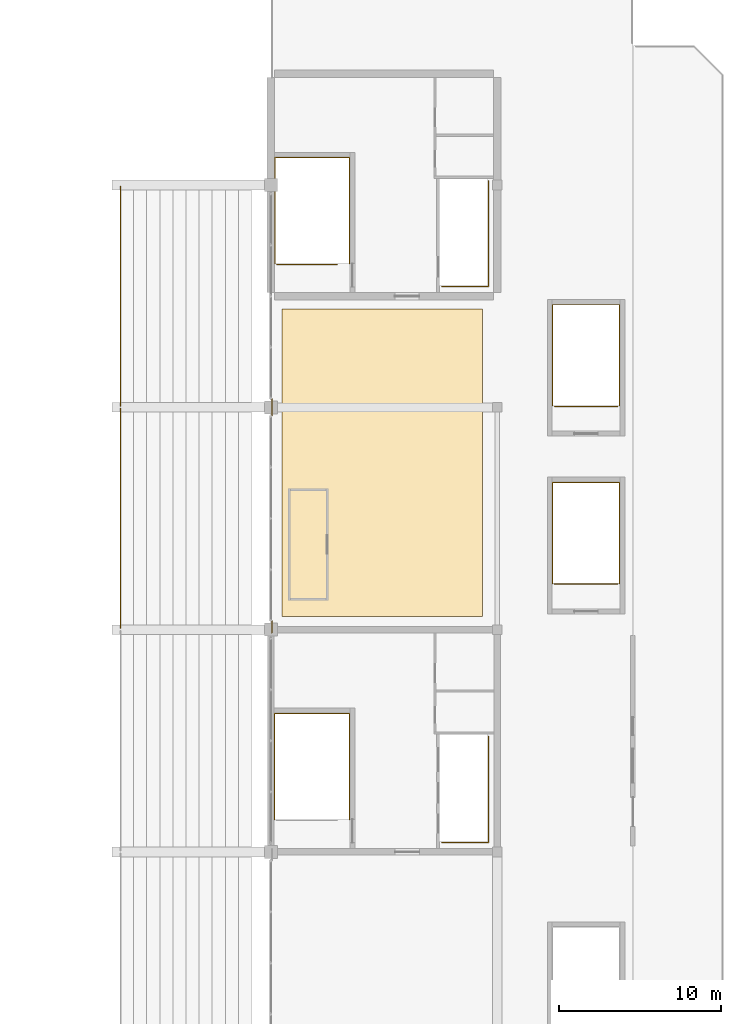
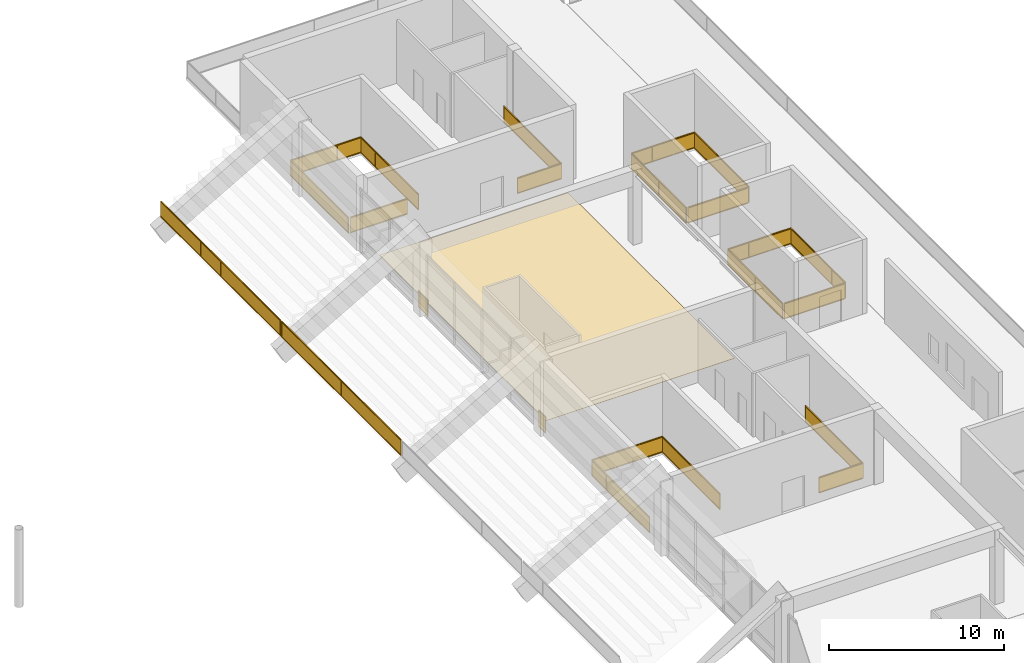
# One storey, part 84 of 90: 13 railings, 1 covering.
"""IFC4 building model written with IfcOpenShell, lengths in metres."""

from ifc_helpers import new_model, si_unit, direction, frame, origin, origin_2d, place, context, subcontext, project, spatial, polyline, rectangle, outline, extrude, material, layer, layer_set, type_object, element, save


model = new_model("IFC4")

# Units and contexts
model_context = context("Model", 3, precision=1e-05, world=origin(), true_north=direction((0.0, 1.0)))
body_context = subcontext(model_context, "Body", "Model", "MODEL_VIEW")
ifc_project = project(units=[si_unit("LENGTHUNIT", "METRE"), si_unit("AREAUNIT", "SQUARE_METRE"), si_unit("VOLUMEUNIT", "CUBIC_METRE"), si_unit("PLANEANGLEUNIT", "RADIAN"), si_unit("MASSUNIT", "GRAM", prefix="KILO")], contexts=[model_context])

# Site, building, storey
site_placement = place(None, origin())
site = spatial("IfcSite", under=ifc_project, at=site_placement, CompositionType="ELEMENT")
building_placement = place(site_placement, origin())
building = spatial("IfcBuilding", under=site, at=building_placement, Name="Linyun Crest Stadium", CompositionType="ELEMENT")
storey_placement = place(building_placement, frame((0.0, 0.0, 21.0)))
storey = spatial("IfcBuildingStorey", under=building, at=storey_placement, Name="L05", CompositionType="ELEMENT", Elevation=21.0)

# Covering
ifc_material_1 = material(Name="Terrazzo concourse and hospitality floor finish")
ifc_layer = layer(ifc_material_1, 0.02197265625)
ifc_layer_set = layer_set([ifc_layer], Name="Terrazzo concourse and hospitality floor finish")
covering_type = type_object("IfcCoveringType", Name="FLR02", PredefinedType="FLOORING", material=ifc_layer_set)
covering_placement = place(storey_placement, origin())
element("IfcCovering", 1, at=covering_placement, inside=storey, type_object=covering_type, Name="Terrazzo flooring FLR02 51", PredefinedType="FLOORING", context=body_context, shape_type="SweptSolid", body=[
    extrude(outline(polyline([(70.699951171875, 16.699951171875), (83.10009765625, 16.699951171875), (83.10009765625, 35.699951171875), (70.699951171875, 35.699951171875), (70.699951171875, 16.699951171875)])), origin(), (0.0, 0.0, 1.0), 0.02197265625),
])

# Railings
ifc_material_2 = material(Name="Galvanized and powder-coated steel bowl safety barrier", Category="steel")
railing_type_1 = type_object("IfcRailingType", Name="GR02", PredefinedType="GUARDRAIL", material=ifc_material_2)
for number, where, name in (
    (2, (60.699951171875, 15.955078125, 1.550048828125), "Bowl front safety guard GR02 48"),
    (3, (60.699951171875, 29.705078125, 1.550048828125), "Bowl front safety guard GR02 56"),
):
    element("IfcRailing", number, at=place(storey_placement, frame(where)), inside=storey, type_object=railing_type_1, Name=name, PredefinedType="GUARDRAIL", context=body_context, shape_type="SweptSolid", body=[
        extrude(rectangle(XDim=0.06005859375, YDim=0.06005859375, at=origin_2d()), frame((0.0, 0.0, 1.090087890625), z_axis=(0.0, 1.0, 0.0), x_axis=(-1.0, 0.0, 0.0)), (0.0, 0.0, 1.0), 13.58984375),
        extrude(rectangle(XDim=0.030029296875, YDim=1.0, at=origin_2d()), frame((0.0, 0.0, 0.56005859375), z_axis=(0.0, 1.0, 0.0), x_axis=(-1.0, 0.0, 0.0)), (0.0, 0.0, 1.0), 13.58984375),
        extrude(rectangle(XDim=0.06005859375, YDim=0.06005859375, at=origin_2d()), frame((0.0, 0.0, 0.030029296875), z_axis=(0.0, 1.0, 0.0), x_axis=(-1.0, 0.0, 0.0)), (0.0, 0.0, 1.0), 13.58984375),
        extrude(rectangle(XDim=0.050048828125, YDim=0.050048828125, at=origin_2d()), origin(), (0.0, 0.0, 1.0), 1.1201171875),
        extrude(rectangle(XDim=0.050048828125, YDim=0.050048828125, at=origin_2d()), frame((0.0, 2.264892578125, 0.0)), (0.0, 0.0, 1.0), 1.1201171875),
        extrude(rectangle(XDim=0.050048828125, YDim=0.050048828125, at=origin_2d()), frame((0.0, 4.530029296875, 0.0)), (0.0, 0.0, 1.0), 1.1201171875),
        extrude(rectangle(XDim=0.050048828125, YDim=0.050048828125, at=origin_2d()), frame((0.0, 6.794921875, 0.0)), (0.0, 0.0, 1.0), 1.1201171875),
        extrude(rectangle(XDim=0.050048828125, YDim=0.050048828125, at=origin_2d()), frame((0.0, 9.059814453125, 0.0)), (0.0, 0.0, 1.0), 1.1201171875),
        extrude(rectangle(XDim=0.050048828125, YDim=0.050048828125, at=origin_2d()), frame((0.0, 11.324951171875, 0.0)), (0.0, 0.0, 1.0), 1.1201171875),
        extrude(rectangle(XDim=0.050048828125, YDim=0.050048828125, at=origin_2d()), frame((0.0, 13.58984375, 0.0)), (0.0, 0.0, 1.0), 1.1201171875),
    ])
railing_1_placement = place(storey_placement, frame((70.06005859375, 15.675048828125, 0.0)))
element("IfcRailing", 4, at=railing_1_placement, inside=storey, type_object=railing_type_1, Name="Slab edge balustrade GR02 178", PredefinedType="GUARDRAIL", context=body_context, shape_type="SweptSolid", body=[
    extrude(rectangle(XDim=0.06005859375, YDim=0.06005859375, at=origin_2d()), frame((0.0, 0.0, 1.090087890625), z_axis=(0.0, 1.0, 0.0), x_axis=(-1.0, 0.0, 0.0)), (0.0, 0.0, 1.0), 0.75),
    extrude(rectangle(XDim=0.030029296875, YDim=1.0, at=origin_2d()), frame((0.0, 0.0, 0.56005859375), z_axis=(0.0, 1.0, 0.0), x_axis=(-1.0, 0.0, 0.0)), (0.0, 0.0, 1.0), 0.75),
    extrude(rectangle(XDim=0.06005859375, YDim=0.06005859375, at=origin_2d()), frame((0.0, 0.0, 0.030029296875), z_axis=(0.0, 1.0, 0.0), x_axis=(-1.0, 0.0, 0.0)), (0.0, 0.0, 1.0), 0.75),
    extrude(rectangle(XDim=0.050048828125, YDim=0.050048828125, at=origin_2d()), origin(), (0.0, 0.0, 1.0), 1.1201171875),
    extrude(rectangle(XDim=0.050048828125, YDim=0.050048828125, at=origin_2d()), frame((0.0, 0.75, 0.0)), (0.0, 0.0, 1.0), 1.1201171875),
])
railing_2_placement = place(storey_placement, frame((70.06005859375, 29.074951171875, 0.0)))
element("IfcRailing", 5, at=railing_2_placement, inside=storey, type_object=railing_type_1, Name="Slab edge balustrade GR02 179", PredefinedType="GUARDRAIL", context=body_context, shape_type="SweptSolid", body=[
    extrude(rectangle(XDim=0.06005859375, YDim=0.06005859375, at=origin_2d()), frame((0.0, 0.0, 1.090087890625), z_axis=(0.0, 1.0, 0.0), x_axis=(-1.0, 0.0, 0.0)), (0.0, 0.0, 1.0), 1.10009765625),
    extrude(rectangle(XDim=0.030029296875, YDim=1.0, at=origin_2d()), frame((0.0, 0.0, 0.56005859375), z_axis=(0.0, 1.0, 0.0), x_axis=(-1.0, 0.0, 0.0)), (0.0, 0.0, 1.0), 1.10009765625),
    extrude(rectangle(XDim=0.06005859375, YDim=0.06005859375, at=origin_2d()), frame((0.0, 0.0, 0.030029296875), z_axis=(0.0, 1.0, 0.0), x_axis=(-1.0, 0.0, 0.0)), (0.0, 0.0, 1.0), 1.10009765625),
    extrude(rectangle(XDim=0.050048828125, YDim=0.050048828125, at=origin_2d()), origin(), (0.0, 0.0, 1.0), 1.1201171875),
    extrude(rectangle(XDim=0.050048828125, YDim=0.050048828125, at=origin_2d()), frame((0.0, 1.10009765625, 0.0)), (0.0, 0.0, 1.0), 1.1201171875),
])
for number, where, name in (
    (6, (87.5400390625, 18.68994140625, 0.0), "Slab edge balustrade GR02 182"),
    (7, (87.5400390625, 29.68994140625, 0.0), "Slab edge balustrade GR02 183"),
):
    element("IfcRailing", number, at=place(storey_placement, frame(where)), inside=storey, type_object=railing_type_1, Name=name, PredefinedType="GUARDRAIL", context=body_context, shape_type="SweptSolid", body=[
        extrude(rectangle(XDim=0.06005859375, YDim=0.06005859375, at=origin_2d()), frame((0.0, 0.0, 1.090087890625), z_axis=(1.0, 0.0, 0.0), x_axis=(0.0, 1.0, 0.0)), (0.0, 0.0, 1.0), 3.919921875),
        extrude(rectangle(XDim=0.030029296875, YDim=1.0, at=origin_2d()), frame((0.0, 0.0, 0.56005859375), z_axis=(1.0, 0.0, 0.0), x_axis=(0.0, 1.0, 0.0)), (0.0, 0.0, 1.0), 3.919921875),
        extrude(rectangle(XDim=0.06005859375, YDim=0.06005859375, at=origin_2d()), frame((0.0, 0.0, 0.030029296875), z_axis=(1.0, 0.0, 0.0), x_axis=(0.0, 1.0, 0.0)), (0.0, 0.0, 1.0), 3.919921875),
        extrude(rectangle(XDim=0.050048828125, YDim=0.050048828125, at=origin_2d()), origin(), (0.0, 0.0, 1.0), 1.1201171875),
        extrude(rectangle(XDim=0.050048828125, YDim=0.050048828125, at=origin_2d()), frame((3.919921875, 0.0, 0.0)), (0.0, 0.0, 1.0), 1.1201171875),
    ])
for number, where, name in (
    (8, (80.580078125, 2.715087890625, 0.0), "Slab edge balustrade GR02 184"),
    (9, (80.580078125, 37.090087890625, 0.0), "Slab edge balustrade GR02 185"),
):
    element("IfcRailing", number, at=place(storey_placement, frame(where)), inside=storey, type_object=railing_type_1, Name=name, PredefinedType="GUARDRAIL", context=body_context, shape_type="SweptSolid", body=[
        extrude(rectangle(XDim=0.06005859375, YDim=0.06005859375, at=origin_2d()), frame((0.0, 0.0, 1.090087890625), z_axis=(1.0, 0.0, 0.0), x_axis=(0.0, 1.0, 0.0)), (0.0, 0.0, 1.0), 2.8798828125),
        extrude(rectangle(XDim=0.030029296875, YDim=1.0, at=origin_2d()), frame((0.0, 0.0, 0.56005859375), z_axis=(1.0, 0.0, 0.0), x_axis=(0.0, 1.0, 0.0)), (0.0, 0.0, 1.0), 2.8798828125),
        extrude(rectangle(XDim=0.06005859375, YDim=0.06005859375, at=origin_2d()), frame((0.0, 0.0, 0.030029296875), z_axis=(1.0, 0.0, 0.0), x_axis=(0.0, 1.0, 0.0)), (0.0, 0.0, 1.0), 2.8798828125),
        extrude(rectangle(XDim=0.06005859375, YDim=0.06005859375, at=origin_2d()), frame((2.8798828125, 0.0, 1.090087890625), z_axis=(0.0, 1.0, 0.0), x_axis=(-1.0, 0.0, 0.0)), (0.0, 0.0, 1.0), 6.5498046875),
        extrude(rectangle(XDim=0.030029296875, YDim=1.0, at=origin_2d()), frame((2.8798828125, 0.0, 0.56005859375), z_axis=(0.0, 1.0, 0.0), x_axis=(-1.0, 0.0, 0.0)), (0.0, 0.0, 1.0), 6.5498046875),
        extrude(rectangle(XDim=0.06005859375, YDim=0.06005859375, at=origin_2d()), frame((2.8798828125, 0.0, 0.030029296875), z_axis=(0.0, 1.0, 0.0), x_axis=(-1.0, 0.0, 0.0)), (0.0, 0.0, 1.0), 6.5498046875),
        extrude(rectangle(XDim=0.050048828125, YDim=0.050048828125, at=origin_2d()), origin(), (0.0, 0.0, 1.0), 1.1201171875),
        extrude(rectangle(XDim=0.050048828125, YDim=0.050048828125, at=origin_2d()), frame((2.8798828125, 0.0, 0.0)), (0.0, 0.0, 1.0), 1.1201171875),
        extrude(rectangle(XDim=0.050048828125, YDim=0.050048828125, at=origin_2d()), frame((2.8798828125, 3.27490234375, 0.0)), (0.0, 0.0, 1.0), 1.1201171875),
        extrude(rectangle(XDim=0.050048828125, YDim=0.050048828125, at=origin_2d()), frame((2.8798828125, 6.5498046875, 0.0)), (0.0, 0.0, 1.0), 1.1201171875),
    ])
railing_3_placement = place(storey_placement, frame((70.364990234375, 38.4599609375, 0.0)))
element("IfcRailing", 10, at=railing_3_placement, inside=storey, type_object=railing_type_1, Name="Slab edge balustrade GR02 187", PredefinedType="GUARDRAIL", context=body_context, shape_type="SweptSolid", body=[
    extrude(rectangle(XDim=0.06005859375, YDim=0.06005859375, at=origin_2d()), frame((0.0, 0.0, 1.090087890625), z_axis=(1.0, 0.0, 0.0), x_axis=(0.0, 1.0, 0.0)), (0.0, 0.0, 1.0), 3.735107421875),
    extrude(rectangle(XDim=0.030029296875, YDim=1.0, at=origin_2d()), frame((0.0, 0.0, 0.56005859375), z_axis=(1.0, 0.0, 0.0), x_axis=(0.0, 1.0, 0.0)), (0.0, 0.0, 1.0), 3.735107421875),
    extrude(rectangle(XDim=0.06005859375, YDim=0.06005859375, at=origin_2d()), frame((0.0, 0.0, 0.030029296875), z_axis=(1.0, 0.0, 0.0), x_axis=(0.0, 1.0, 0.0)), (0.0, 0.0, 1.0), 3.735107421875),
    extrude(rectangle(XDim=0.050048828125, YDim=0.050048828125, at=origin_2d()), origin(), (0.0, 0.0, 1.0), 1.1201171875),
    extrude(rectangle(XDim=0.050048828125, YDim=0.050048828125, at=origin_2d()), frame((3.735107421875, 0.0, 0.0)), (0.0, 0.0, 1.0), 1.1201171875),
])
ifc_material_3 = material(Name="Painted steel stairwell safety guard", Category="steel")
railing_type_2 = type_object("IfcRailingType", Name="GR03", PredefinedType="GUARDRAIL", material=ifc_material_3)
railing_4_placement = place(storey_placement, frame((70.22998046875, 4.125, 0.0)))
element("IfcRailing", 11, at=railing_4_placement, inside=storey, type_object=railing_type_2, Name="STR-05-L04 top well guard", PredefinedType="GUARDRAIL", context=body_context, shape_type="SweptSolid", body=[
    extrude(rectangle(XDim=0.06005859375, YDim=0.06005859375, at=origin_2d()), frame((0.0, 0.0, 1.090087890625), z_axis=(0.0, 1.0, 0.0), x_axis=(-1.0, 0.0, 0.0)), (0.0, 0.0, 1.0), 6.570068359375),
    extrude(rectangle(XDim=0.030029296875, YDim=1.0, at=origin_2d()), frame((0.0, 0.0, 0.56005859375), z_axis=(0.0, 1.0, 0.0), x_axis=(-1.0, 0.0, 0.0)), (0.0, 0.0, 1.0), 6.570068359375),
    extrude(rectangle(XDim=0.06005859375, YDim=0.06005859375, at=origin_2d()), frame((0.0, 0.0, 0.030029296875), z_axis=(0.0, 1.0, 0.0), x_axis=(-1.0, 0.0, 0.0)), (0.0, 0.0, 1.0), 6.570068359375),
    extrude(rectangle(XDim=0.06005859375, YDim=0.06005859375, at=origin_2d()), frame((0.0, 6.570068359375, 1.090087890625), z_axis=(1.0, 0.0, 0.0), x_axis=(0.0, 1.0, 0.0)), (0.0, 0.0, 1.0), 4.64013671875),
    extrude(rectangle(XDim=0.030029296875, YDim=1.0, at=origin_2d()), frame((0.0, 6.570068359375, 0.56005859375), z_axis=(1.0, 0.0, 0.0), x_axis=(0.0, 1.0, 0.0)), (0.0, 0.0, 1.0), 4.64013671875),
    extrude(rectangle(XDim=0.06005859375, YDim=0.06005859375, at=origin_2d()), frame((0.0, 6.570068359375, 0.030029296875), z_axis=(1.0, 0.0, 0.0), x_axis=(0.0, 1.0, 0.0)), (0.0, 0.0, 1.0), 4.64013671875),
    extrude(rectangle(XDim=0.06005859375, YDim=0.06005859375, at=origin_2d()), frame((4.64013671875, 6.570068359375, 1.090087890625), z_axis=(0.0, -1.0, 0.0), x_axis=(1.0, 0.0, 0.0)), (0.0, 0.0, 1.0), 6.570068359375),
    extrude(rectangle(XDim=0.030029296875, YDim=1.0, at=origin_2d()), frame((4.64013671875, 6.570068359375, 0.56005859375), z_axis=(0.0, -1.0, 0.0), x_axis=(1.0, 0.0, 0.0)), (0.0, 0.0, 1.0), 6.570068359375),
    extrude(rectangle(XDim=0.06005859375, YDim=0.06005859375, at=origin_2d()), frame((4.64013671875, 6.570068359375, 0.030029296875), z_axis=(0.0, -1.0, 0.0), x_axis=(1.0, 0.0, 0.0)), (0.0, 0.0, 1.0), 6.570068359375),
    extrude(rectangle(XDim=0.050048828125, YDim=0.050048828125, at=origin_2d()), origin(), (0.0, 0.0, 1.0), 1.1201171875),
    extrude(rectangle(XDim=0.050048828125, YDim=0.050048828125, at=origin_2d()), frame((0.0, 1.642578125, 0.0)), (0.0, 0.0, 1.0), 1.1201171875),
    extrude(rectangle(XDim=0.050048828125, YDim=0.050048828125, at=origin_2d()), frame((0.0, 3.28515625, 0.0)), (0.0, 0.0, 1.0), 1.1201171875),
    extrude(rectangle(XDim=0.050048828125, YDim=0.050048828125, at=origin_2d()), frame((0.0, 4.927490234375, 0.0)), (0.0, 0.0, 1.0), 1.1201171875),
    extrude(rectangle(XDim=0.050048828125, YDim=0.050048828125, at=origin_2d()), frame((0.0, 6.570068359375, 0.0)), (0.0, 0.0, 1.0), 1.1201171875),
    extrude(rectangle(XDim=0.050048828125, YDim=0.050048828125, at=origin_2d()), frame((1.546630859375, 6.570068359375, 0.0)), (0.0, 0.0, 1.0), 1.1201171875),
    extrude(rectangle(XDim=0.050048828125, YDim=0.050048828125, at=origin_2d()), frame((3.093505859375, 6.570068359375, 0.0)), (0.0, 0.0, 1.0), 1.1201171875),
    extrude(rectangle(XDim=0.050048828125, YDim=0.050048828125, at=origin_2d()), frame((4.64013671875, 6.570068359375, 0.0)), (0.0, 0.0, 1.0), 1.1201171875),
    extrude(rectangle(XDim=0.050048828125, YDim=0.050048828125, at=origin_2d()), frame((4.64013671875, 4.927490234375, 0.0)), (0.0, 0.0, 1.0), 1.1201171875),
    extrude(rectangle(XDim=0.050048828125, YDim=0.050048828125, at=origin_2d()), frame((4.64013671875, 3.28515625, 0.0)), (0.0, 0.0, 1.0), 1.1201171875),
    extrude(rectangle(XDim=0.050048828125, YDim=0.050048828125, at=origin_2d()), frame((4.64013671875, 1.642578125, 0.0)), (0.0, 0.0, 1.0), 1.1201171875),
    extrude(rectangle(XDim=0.050048828125, YDim=0.050048828125, at=origin_2d()), frame((4.64013671875, 0.0, 0.0)), (0.0, 0.0, 1.0), 1.1201171875),
])
railing_5_placement = place(storey_placement, frame((70.2548828125, 38.5, 0.0)))
element("IfcRailing", 12, at=railing_5_placement, inside=storey, type_object=railing_type_2, Name="STR-06-L04 top well guard", PredefinedType="GUARDRAIL", context=body_context, shape_type="SweptSolid", body=[
    extrude(rectangle(XDim=0.06005859375, YDim=0.06005859375, at=origin_2d()), frame((0.0, 0.0, 1.090087890625), z_axis=(0.0, 1.0, 0.0), x_axis=(-1.0, 0.0, 0.0)), (0.0, 0.0, 1.0), 6.570068359375),
    extrude(rectangle(XDim=0.030029296875, YDim=1.0, at=origin_2d()), frame((0.0, 0.0, 0.56005859375), z_axis=(0.0, 1.0, 0.0), x_axis=(-1.0, 0.0, 0.0)), (0.0, 0.0, 1.0), 6.570068359375),
    extrude(rectangle(XDim=0.06005859375, YDim=0.06005859375, at=origin_2d()), frame((0.0, 0.0, 0.030029296875), z_axis=(0.0, 1.0, 0.0), x_axis=(-1.0, 0.0, 0.0)), (0.0, 0.0, 1.0), 6.570068359375),
    extrude(rectangle(XDim=0.06005859375, YDim=0.06005859375, at=origin_2d()), frame((0.0, 6.570068359375, 1.090087890625), z_axis=(1.0, 0.0, 0.0), x_axis=(0.0, 1.0, 0.0)), (0.0, 0.0, 1.0), 4.615234375),
    extrude(rectangle(XDim=0.030029296875, YDim=1.0, at=origin_2d()), frame((0.0, 6.570068359375, 0.56005859375), z_axis=(1.0, 0.0, 0.0), x_axis=(0.0, 1.0, 0.0)), (0.0, 0.0, 1.0), 4.615234375),
    extrude(rectangle(XDim=0.06005859375, YDim=0.06005859375, at=origin_2d()), frame((0.0, 6.570068359375, 0.030029296875), z_axis=(1.0, 0.0, 0.0), x_axis=(0.0, 1.0, 0.0)), (0.0, 0.0, 1.0), 4.615234375),
    extrude(rectangle(XDim=0.06005859375, YDim=0.06005859375, at=origin_2d()), frame((4.615234375, 6.570068359375, 1.090087890625), z_axis=(0.0, -1.0, 0.0), x_axis=(1.0, 0.0, 0.0)), (0.0, 0.0, 1.0), 6.570068359375),
    extrude(rectangle(XDim=0.030029296875, YDim=1.0, at=origin_2d()), frame((4.615234375, 6.570068359375, 0.56005859375), z_axis=(0.0, -1.0, 0.0), x_axis=(1.0, 0.0, 0.0)), (0.0, 0.0, 1.0), 6.570068359375),
    extrude(rectangle(XDim=0.06005859375, YDim=0.06005859375, at=origin_2d()), frame((4.615234375, 6.570068359375, 0.030029296875), z_axis=(0.0, -1.0, 0.0), x_axis=(1.0, 0.0, 0.0)), (0.0, 0.0, 1.0), 6.570068359375),
    extrude(rectangle(XDim=0.050048828125, YDim=0.050048828125, at=origin_2d()), origin(), (0.0, 0.0, 1.0), 1.1201171875),
    extrude(rectangle(XDim=0.050048828125, YDim=0.050048828125, at=origin_2d()), frame((0.0, 1.642578125, 0.0)), (0.0, 0.0, 1.0), 1.1201171875),
    extrude(rectangle(XDim=0.050048828125, YDim=0.050048828125, at=origin_2d()), frame((0.0, 3.28515625, 0.0)), (0.0, 0.0, 1.0), 1.1201171875),
    extrude(rectangle(XDim=0.050048828125, YDim=0.050048828125, at=origin_2d()), frame((0.0, 4.927490234375, 0.0)), (0.0, 0.0, 1.0), 1.1201171875),
    extrude(rectangle(XDim=0.050048828125, YDim=0.050048828125, at=origin_2d()), frame((0.0, 6.570068359375, 0.0)), (0.0, 0.0, 1.0), 1.1201171875),
    extrude(rectangle(XDim=0.050048828125, YDim=0.050048828125, at=origin_2d()), frame((1.538330078125, 6.570068359375, 0.0)), (0.0, 0.0, 1.0), 1.1201171875),
    extrude(rectangle(XDim=0.050048828125, YDim=0.050048828125, at=origin_2d()), frame((3.076904296875, 6.570068359375, 0.0)), (0.0, 0.0, 1.0), 1.1201171875),
    extrude(rectangle(XDim=0.050048828125, YDim=0.050048828125, at=origin_2d()), frame((4.615234375, 6.570068359375, 0.0)), (0.0, 0.0, 1.0), 1.1201171875),
    extrude(rectangle(XDim=0.050048828125, YDim=0.050048828125, at=origin_2d()), frame((4.615234375, 4.927490234375, 0.0)), (0.0, 0.0, 1.0), 1.1201171875),
    extrude(rectangle(XDim=0.050048828125, YDim=0.050048828125, at=origin_2d()), frame((4.615234375, 3.28515625, 0.0)), (0.0, 0.0, 1.0), 1.1201171875),
    extrude(rectangle(XDim=0.050048828125, YDim=0.050048828125, at=origin_2d()), frame((4.615234375, 1.642578125, 0.0)), (0.0, 0.0, 1.0), 1.1201171875),
    extrude(rectangle(XDim=0.050048828125, YDim=0.050048828125, at=origin_2d()), frame((4.615234375, 0.0, 0.0)), (0.0, 0.0, 1.0), 1.1201171875),
])
railing_6_placement = place(storey_placement, frame((87.429931640625, 18.72998046875, 0.0)))
element("IfcRailing", 13, at=railing_6_placement, inside=storey, type_object=railing_type_2, Name="STR-21-L04 top well guard", PredefinedType="GUARDRAIL", context=body_context, shape_type="SweptSolid", body=[
    extrude(rectangle(XDim=0.06005859375, YDim=0.06005859375, at=origin_2d()), frame((0.0, 0.0, 1.090087890625), z_axis=(0.0, 1.0, 0.0), x_axis=(-1.0, 0.0, 0.0)), (0.0, 0.0, 1.0), 6.239990234375),
    extrude(rectangle(XDim=0.030029296875, YDim=1.0, at=origin_2d()), frame((0.0, 0.0, 0.56005859375), z_axis=(0.0, 1.0, 0.0), x_axis=(-1.0, 0.0, 0.0)), (0.0, 0.0, 1.0), 6.239990234375),
    extrude(rectangle(XDim=0.06005859375, YDim=0.06005859375, at=origin_2d()), frame((0.0, 0.0, 0.030029296875), z_axis=(0.0, 1.0, 0.0), x_axis=(-1.0, 0.0, 0.0)), (0.0, 0.0, 1.0), 6.239990234375),
    extrude(rectangle(XDim=0.06005859375, YDim=0.06005859375, at=origin_2d()), frame((0.0, 6.239990234375, 1.090087890625), z_axis=(1.0, 0.0, 0.0), x_axis=(0.0, 1.0, 0.0)), (0.0, 0.0, 1.0), 4.14013671875),
    extrude(rectangle(XDim=0.030029296875, YDim=1.0, at=origin_2d()), frame((0.0, 6.239990234375, 0.56005859375), z_axis=(1.0, 0.0, 0.0), x_axis=(0.0, 1.0, 0.0)), (0.0, 0.0, 1.0), 4.14013671875),
    extrude(rectangle(XDim=0.06005859375, YDim=0.06005859375, at=origin_2d()), frame((0.0, 6.239990234375, 0.030029296875), z_axis=(1.0, 0.0, 0.0), x_axis=(0.0, 1.0, 0.0)), (0.0, 0.0, 1.0), 4.14013671875),
    extrude(rectangle(XDim=0.06005859375, YDim=0.06005859375, at=origin_2d()), frame((4.14013671875, 6.239990234375, 1.090087890625), z_axis=(0.0, -1.0, 0.0), x_axis=(1.0, 0.0, 0.0)), (0.0, 0.0, 1.0), 6.239990234375),
    extrude(rectangle(XDim=0.030029296875, YDim=1.0, at=origin_2d()), frame((4.14013671875, 6.239990234375, 0.56005859375), z_axis=(0.0, -1.0, 0.0), x_axis=(1.0, 0.0, 0.0)), (0.0, 0.0, 1.0), 6.239990234375),
    extrude(rectangle(XDim=0.06005859375, YDim=0.06005859375, at=origin_2d()), frame((4.14013671875, 6.239990234375, 0.030029296875), z_axis=(0.0, -1.0, 0.0), x_axis=(1.0, 0.0, 0.0)), (0.0, 0.0, 1.0), 6.239990234375),
    extrude(rectangle(XDim=0.050048828125, YDim=0.050048828125, at=origin_2d()), origin(), (0.0, 0.0, 1.0), 1.1201171875),
    extrude(rectangle(XDim=0.050048828125, YDim=0.050048828125, at=origin_2d()), frame((0.0, 1.56005859375, 0.0)), (0.0, 0.0, 1.0), 1.1201171875),
    extrude(rectangle(XDim=0.050048828125, YDim=0.050048828125, at=origin_2d()), frame((0.0, 3.1201171875, 0.0)), (0.0, 0.0, 1.0), 1.1201171875),
    extrude(rectangle(XDim=0.050048828125, YDim=0.050048828125, at=origin_2d()), frame((0.0, 4.679931640625, 0.0)), (0.0, 0.0, 1.0), 1.1201171875),
    extrude(rectangle(XDim=0.050048828125, YDim=0.050048828125, at=origin_2d()), frame((0.0, 6.239990234375, 0.0)), (0.0, 0.0, 1.0), 1.1201171875),
    extrude(rectangle(XDim=0.050048828125, YDim=0.050048828125, at=origin_2d()), frame((1.380126953125, 6.239990234375, 0.0)), (0.0, 0.0, 1.0), 1.1201171875),
    extrude(rectangle(XDim=0.050048828125, YDim=0.050048828125, at=origin_2d()), frame((2.760009765625, 6.239990234375, 0.0)), (0.0, 0.0, 1.0), 1.1201171875),
    extrude(rectangle(XDim=0.050048828125, YDim=0.050048828125, at=origin_2d()), frame((4.14013671875, 6.239990234375, 0.0)), (0.0, 0.0, 1.0), 1.1201171875),
    extrude(rectangle(XDim=0.050048828125, YDim=0.050048828125, at=origin_2d()), frame((4.14013671875, 4.679931640625, 0.0)), (0.0, 0.0, 1.0), 1.1201171875),
    extrude(rectangle(XDim=0.050048828125, YDim=0.050048828125, at=origin_2d()), frame((4.14013671875, 3.1201171875, 0.0)), (0.0, 0.0, 1.0), 1.1201171875),
    extrude(rectangle(XDim=0.050048828125, YDim=0.050048828125, at=origin_2d()), frame((4.14013671875, 1.56005859375, 0.0)), (0.0, 0.0, 1.0), 1.1201171875),
    extrude(rectangle(XDim=0.050048828125, YDim=0.050048828125, at=origin_2d()), frame((4.14013671875, 0.0, 0.0)), (0.0, 0.0, 1.0), 1.1201171875),
])
railing_7_placement = place(storey_placement, frame((87.429931640625, 29.72998046875, 0.0)))
element("IfcRailing", 14, at=railing_7_placement, inside=storey, type_object=railing_type_2, Name="STR-22-L04 top well guard", PredefinedType="GUARDRAIL", context=body_context, shape_type="SweptSolid", body=[
    extrude(rectangle(XDim=0.06005859375, YDim=0.06005859375, at=origin_2d()), frame((0.0, 0.0, 1.090087890625), z_axis=(0.0, 1.0, 0.0), x_axis=(-1.0, 0.0, 0.0)), (0.0, 0.0, 1.0), 6.239990234375),
    extrude(rectangle(XDim=0.030029296875, YDim=1.0, at=origin_2d()), frame((0.0, 0.0, 0.56005859375), z_axis=(0.0, 1.0, 0.0), x_axis=(-1.0, 0.0, 0.0)), (0.0, 0.0, 1.0), 6.239990234375),
    extrude(rectangle(XDim=0.06005859375, YDim=0.06005859375, at=origin_2d()), frame((0.0, 0.0, 0.030029296875), z_axis=(0.0, 1.0, 0.0), x_axis=(-1.0, 0.0, 0.0)), (0.0, 0.0, 1.0), 6.239990234375),
    extrude(rectangle(XDim=0.06005859375, YDim=0.06005859375, at=origin_2d()), frame((0.0, 6.239990234375, 1.090087890625), z_axis=(1.0, 0.0, 0.0), x_axis=(0.0, 1.0, 0.0)), (0.0, 0.0, 1.0), 4.14013671875),
    extrude(rectangle(XDim=0.030029296875, YDim=1.0, at=origin_2d()), frame((0.0, 6.239990234375, 0.56005859375), z_axis=(1.0, 0.0, 0.0), x_axis=(0.0, 1.0, 0.0)), (0.0, 0.0, 1.0), 4.14013671875),
    extrude(rectangle(XDim=0.06005859375, YDim=0.06005859375, at=origin_2d()), frame((0.0, 6.239990234375, 0.030029296875), z_axis=(1.0, 0.0, 0.0), x_axis=(0.0, 1.0, 0.0)), (0.0, 0.0, 1.0), 4.14013671875),
    extrude(rectangle(XDim=0.06005859375, YDim=0.06005859375, at=origin_2d()), frame((4.14013671875, 6.239990234375, 1.090087890625), z_axis=(0.0, -1.0, 0.0), x_axis=(1.0, 0.0, 0.0)), (0.0, 0.0, 1.0), 6.239990234375),
    extrude(rectangle(XDim=0.030029296875, YDim=1.0, at=origin_2d()), frame((4.14013671875, 6.239990234375, 0.56005859375), z_axis=(0.0, -1.0, 0.0), x_axis=(1.0, 0.0, 0.0)), (0.0, 0.0, 1.0), 6.239990234375),
    extrude(rectangle(XDim=0.06005859375, YDim=0.06005859375, at=origin_2d()), frame((4.14013671875, 6.239990234375, 0.030029296875), z_axis=(0.0, -1.0, 0.0), x_axis=(1.0, 0.0, 0.0)), (0.0, 0.0, 1.0), 6.239990234375),
    extrude(rectangle(XDim=0.050048828125, YDim=0.050048828125, at=origin_2d()), origin(), (0.0, 0.0, 1.0), 1.1201171875),
    extrude(rectangle(XDim=0.050048828125, YDim=0.050048828125, at=origin_2d()), frame((0.0, 1.56005859375, 0.0)), (0.0, 0.0, 1.0), 1.1201171875),
    extrude(rectangle(XDim=0.050048828125, YDim=0.050048828125, at=origin_2d()), frame((0.0, 3.1201171875, 0.0)), (0.0, 0.0, 1.0), 1.1201171875),
    extrude(rectangle(XDim=0.050048828125, YDim=0.050048828125, at=origin_2d()), frame((0.0, 4.679931640625, 0.0)), (0.0, 0.0, 1.0), 1.1201171875),
    extrude(rectangle(XDim=0.050048828125, YDim=0.050048828125, at=origin_2d()), frame((0.0, 6.239990234375, 0.0)), (0.0, 0.0, 1.0), 1.1201171875),
    extrude(rectangle(XDim=0.050048828125, YDim=0.050048828125, at=origin_2d()), frame((1.380126953125, 6.239990234375, 0.0)), (0.0, 0.0, 1.0), 1.1201171875),
    extrude(rectangle(XDim=0.050048828125, YDim=0.050048828125, at=origin_2d()), frame((2.760009765625, 6.239990234375, 0.0)), (0.0, 0.0, 1.0), 1.1201171875),
    extrude(rectangle(XDim=0.050048828125, YDim=0.050048828125, at=origin_2d()), frame((4.14013671875, 6.239990234375, 0.0)), (0.0, 0.0, 1.0), 1.1201171875),
    extrude(rectangle(XDim=0.050048828125, YDim=0.050048828125, at=origin_2d()), frame((4.14013671875, 4.679931640625, 0.0)), (0.0, 0.0, 1.0), 1.1201171875),
    extrude(rectangle(XDim=0.050048828125, YDim=0.050048828125, at=origin_2d()), frame((4.14013671875, 3.1201171875, 0.0)), (0.0, 0.0, 1.0), 1.1201171875),
    extrude(rectangle(XDim=0.050048828125, YDim=0.050048828125, at=origin_2d()), frame((4.14013671875, 1.56005859375, 0.0)), (0.0, 0.0, 1.0), 1.1201171875),
    extrude(rectangle(XDim=0.050048828125, YDim=0.050048828125, at=origin_2d()), frame((4.14013671875, 0.0, 0.0)), (0.0, 0.0, 1.0), 1.1201171875),
])

save(model, "model.ifc")
